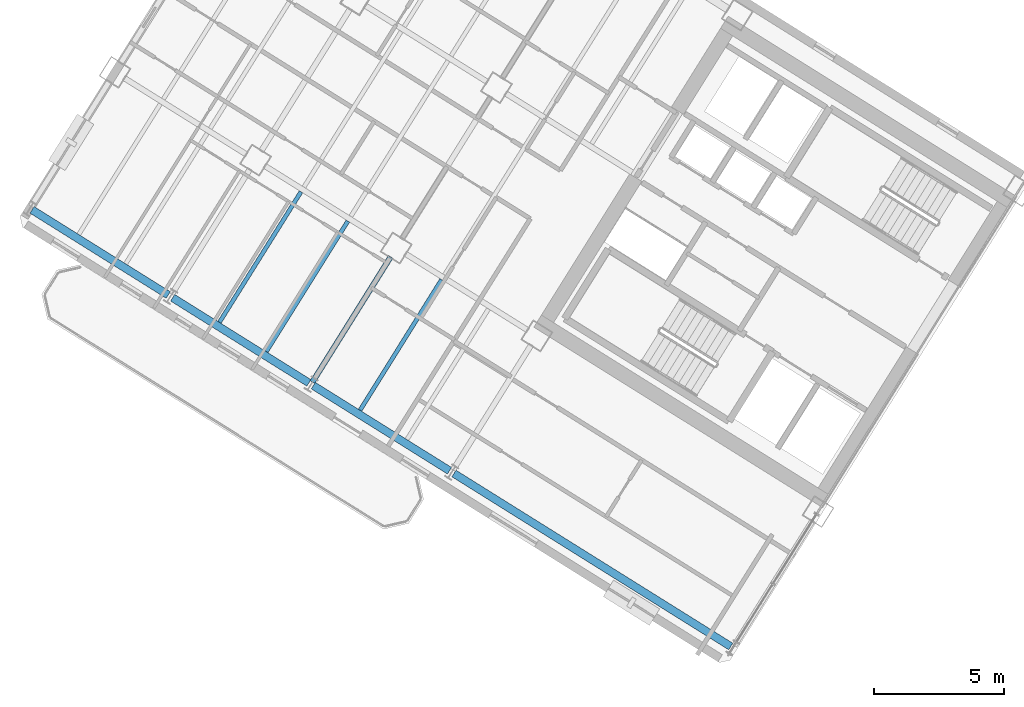
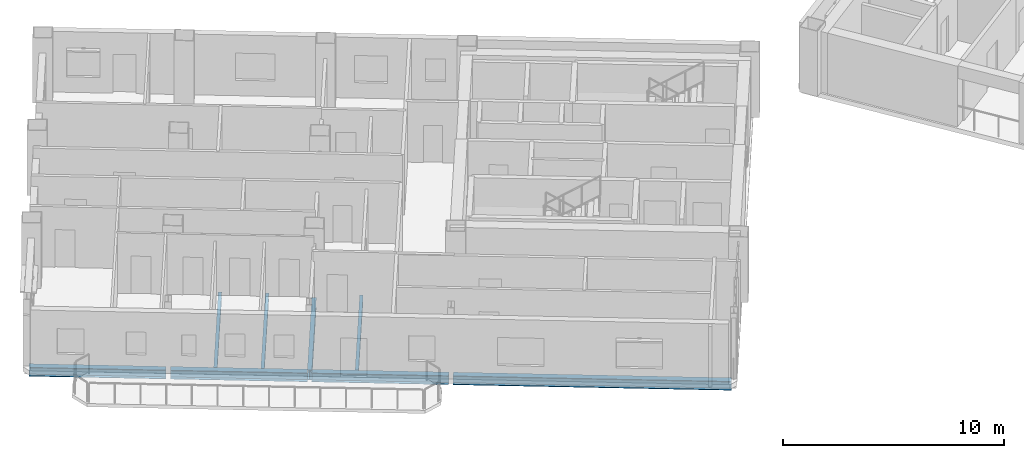
# One storey, part 5 of 19: 8 beams.
"""IFC4 building model written with IfcOpenShell, lengths in metres."""

import ifcopenshell
import ifcopenshell.guid

model = None  # the IFC model being written
_history = None  # IfcOwnerHistory: only IFC2X3 demands one
_inside = {}  # id of a spatial element -> (the spatial element, [elements in it])
_under = {}  # id of a project, library or spatial element -> (it, [spatial elements below it])
_declared = {}  # id of a project -> (the project, [libraries it declares])
_typed = {}  # id of a type object -> (the type object, [elements of that type])
_made_of = {}  # id of a material, layer set ... -> (it, [elements and type objects made of it])


def new_model(schema):
    """Start an empty IFC model of exactly this schema.

    Asked for "IFC4X3", IfcOpenShell would pick the latest addendum, in which some entities
    have other attributes; the version numbers below select the first issue.
    IFC2X3 requires an IfcOwnerHistory on every rooted entity: one is made here for all.
    """
    global model, _history
    if schema == "IFC4X3":
        model = ifcopenshell.file(schema_version=(4, 3, 0, 0))
    else:
        model = ifcopenshell.file(schema=schema)
    _inside.clear()
    _under.clear()
    _declared.clear()
    _typed.clear()
    _made_of.clear()
    _history = None
    if model.schema == "IFC2X3":
        org = make("IfcOrganization", Name="unknown")
        user = make(
            "IfcPersonAndOrganization",
            ThePerson=make("IfcPerson", FamilyName="unknown"),
            TheOrganization=org,
        )
        app = make(
            "IfcApplication",
            ApplicationDeveloper=org,
            Version="unknown",
            ApplicationFullName="unknown",
            ApplicationIdentifier="unknown",
        )
        _history = make(
            "IfcOwnerHistory",
            OwningUser=user,
            OwningApplication=app,
            ChangeAction="ADDED",
            CreationDate=0,
        )
    return model


def make(cls, **values):
    """One entity of the class cls with the attributes given. An attribute that is None is left unset."""
    return model.create_entity(
        cls, **{name: value for name, value in values.items() if value is not None}
    )


def rooted(cls, **values):
    """An entity with a GlobalId (a new one), such as an element, a storey or a relation."""
    return make(cls, GlobalId=ifcopenshell.guid.new(), OwnerHistory=_history, **values)


def si_unit(unit_type, name, prefix=None):
    """IfcSIUnit, for example si_unit("LENGTHUNIT", "METRE", prefix="MILLI")."""
    return make("IfcSIUnit", UnitType=unit_type, Prefix=prefix, Name=name)


def assignment(units):
    """IfcUnitAssignment: the units of a project."""
    return None if units is None else make("IfcUnitAssignment", Units=units)


def point(xyz):
    """IfcCartesianPoint."""
    return None if xyz is None else make("IfcCartesianPoint", Coordinates=xyz)


def direction(xyz):
    """IfcDirection."""
    return None if xyz is None else make("IfcDirection", DirectionRatios=xyz)


def frame(location, z_axis=None, x_axis=None):
    """IfcAxis2Placement3D, a coordinate frame: its origin and axes. An axis left out is left unset."""
    return make(
        "IfcAxis2Placement3D",
        Location=point(location),
        Axis=direction(z_axis),
        RefDirection=direction(x_axis),
    )


def frame_2d(location, x_axis=None):
    """IfcAxis2Placement2D, a coordinate frame in the plane: its origin and x axis."""
    return make(
        "IfcAxis2Placement2D", Location=point(location), RefDirection=direction(x_axis)
    )


def origin():
    """The frame at (0, 0, 0) with its axes left unset."""
    return frame((0.0, 0.0, 0.0))


def origin_2d():
    """The frame at (0, 0) in the plane with its x axis left unset."""
    return frame_2d((0.0, 0.0))


def place(relative_to, where):
    """IfcLocalPlacement: puts the frame where relative to a parent placement (None: the world)."""
    return make(
        "IfcLocalPlacement", PlacementRelTo=relative_to, RelativePlacement=where
    )


def context(
    kind, dimensions, precision=None, world=None, true_north=None, identifier=None
):
    """IfcGeometricRepresentationContext, for example the 3D "Model" context."""
    return make(
        "IfcGeometricRepresentationContext",
        ContextIdentifier=identifier,
        ContextType=kind,
        CoordinateSpaceDimension=dimensions,
        Precision=precision,
        WorldCoordinateSystem=world,
        TrueNorth=true_north,
    )


def subcontext(parent, identifier, kind, view, scale=None):
    """IfcGeometricRepresentationSubContext, for example "Body" below "Model"."""
    return make(
        "IfcGeometricRepresentationSubContext",
        ContextIdentifier=identifier,
        ContextType=kind,
        ParentContext=parent,
        TargetScale=scale,
        TargetView=view,
    )


def project(units=None, contexts=None):
    """IfcProject with its units and contexts."""
    return rooted(
        "IfcProject",
        Name="project",
        RepresentationContexts=contexts,
        UnitsInContext=assignment(units),
    )


def spatial(cls, under=None, at=None, **own):
    """A site, building, storey or space (cls), placed at a placement, below another one or the project."""
    s = rooted(cls, ObjectPlacement=at, **own)
    if under is not None:
        _under.setdefault(under.id(), (under, []))[1].append(s)
    return s


def profile(cls, at=None, kind="AREA", **sizes):
    """A parametric profile (cls). Its sizes go by their IFC names, for example OverallWidth=200.0."""
    return make(cls, ProfileType=kind, Position=at, **sizes)


def i_section(**sizes):
    """IfcIShapeProfileDef."""
    return profile("IfcIShapeProfileDef", **sizes)


def extrude(swept, where, along, depth):
    """IfcExtrudedAreaSolid: the profile swept, set in the frame where, extruded along a direction by depth."""
    return make(
        "IfcExtrudedAreaSolid",
        SweptArea=swept,
        Position=where,
        ExtrudedDirection=direction(along),
        Depth=depth,
    )


def shape(context_of_items, identifier, shape_type, items):
    """IfcShapeRepresentation: the items that make up one representation, for example the "Body"."""
    return make(
        "IfcShapeRepresentation",
        ContextOfItems=context_of_items,
        RepresentationIdentifier=identifier,
        RepresentationType=shape_type,
        Items=items,
    )


def source(mapping_origin, context_of_items, identifier, shape_type, items):
    """IfcRepresentationMap: a shape defined once, which mapped items show again and again."""
    return make(
        "IfcRepresentationMap",
        MappingOrigin=mapping_origin,
        MappedRepresentation=shape(context_of_items, identifier, shape_type, items),
    )


def transform(
    local_origin,
    x_axis=None,
    y_axis=None,
    z_axis=None,
    scale=None,
    scale2=None,
    scale3=None,
    uniform=True,
):
    """IfcCartesianTransformationOperator3D, or its non-uniform kind. x_axis, y_axis, z_axis: its Axis1, 2, 3."""
    if uniform:
        return make(
            "IfcCartesianTransformationOperator3D",
            Axis1=direction(x_axis),
            Axis2=direction(y_axis),
            LocalOrigin=point(local_origin),
            Scale=scale,
            Axis3=direction(z_axis),
        )
    return make(
        "IfcCartesianTransformationOperator3DnonUniform",
        Axis1=direction(x_axis),
        Axis2=direction(y_axis),
        LocalOrigin=point(local_origin),
        Scale=scale,
        Axis3=direction(z_axis),
        Scale2=scale2,
        Scale3=scale3,
    )


def mapped(mapping_source, mapping_target):
    """IfcMappedItem: shows the shape of a source again, moved by a transform."""
    return make(
        "IfcMappedItem", MappingSource=mapping_source, MappingTarget=mapping_target
    )


def material(Name=None, Category=None):
    """IfcMaterial."""
    return make("IfcMaterial", Name=Name, Category=Category)


def material_profile(
    of_material, cross_section, Name=None, Category=None, Priority=None
):
    """IfcMaterialProfile: a cross section and its material."""
    return make(
        "IfcMaterialProfile",
        Name=Name,
        Material=of_material,
        Profile=cross_section,
        Priority=Priority,
        Category=Category,
    )


def profile_set(profiles, Name=None, composite=None):
    """IfcMaterialProfileSet."""
    return make(
        "IfcMaterialProfileSet",
        Name=Name,
        MaterialProfiles=profiles,
        CompositeProfile=composite,
    )


def made_of(thing, what):
    """Note that an element or type object is made of a material, layer set ...; save() writes the relation."""
    if what is not None:
        _made_of.setdefault(what.id(), (what, []))[1].append(thing)
    return thing


def type_object(cls, material=None, **own):
    """A type object (cls), such as IfcWallType, which elements share."""
    return made_of(rooted(cls, **own), material)


def element(
    cls,
    number,
    at=None,
    inside=None,
    cuts=None,
    type_object=None,
    material=None,
    context=None,
    identifier="Body",
    shape_type=None,
    held_by="IfcProductDefinitionShape",
    body=None,
    shapes=None,
    **own,
):
    """One element of the class cls, such as IfcWall. Its Tag is "e" and its number.

    at: its placement. inside: the storey or other place that contains it. cuts: it is an
    opening in that element (IfcRelVoidsElement). A single representation is given by context,
    identifier, shape_type and body (its items); several are given by shapes. held_by: the class
    of the entity that holds the representations. save() writes the other relations.
    """
    e = rooted(cls, Tag="e%d" % number, ObjectPlacement=at, **own)
    if body is not None:
        shapes = [shape(context, identifier, shape_type, body)]
    if shapes is not None:
        e.Representation = make(held_by, Representations=shapes)
    if inside is not None:
        _inside.setdefault(inside.id(), (inside, []))[1].append(e)
    if cuts is not None:
        rooted(
            "IfcRelVoidsElement", RelatingBuildingElement=cuts, RelatedOpeningElement=e
        )
    if type_object is not None:
        _typed.setdefault(type_object.id(), (type_object, []))[1].append(e)
    return made_of(e, material)


def aggregate(whole, parts):
    """IfcRelAggregates: a whole, such as a stair, and the parts it consists of."""
    return rooted("IfcRelAggregates", RelatingObject=whole, RelatedObjects=parts)


def save(model, path):
    """Write the relations noted so far, then the file.

    IfcRelAggregates (storeys below a building ...), IfcRelContainedInSpatialStructure (elements
    in a storey), IfcRelDefinesByType, IfcRelAssociatesMaterial and IfcRelDeclares: one each for
    every whole, place, type object, material and project.
    """
    for whole, parts in _under.values():
        aggregate(whole, parts)
    for where, things in _inside.values():
        rooted(
            "IfcRelContainedInSpatialStructure",
            RelatedElements=things,
            RelatingStructure=where,
        )
    for kind, things in _typed.values():
        rooted("IfcRelDefinesByType", RelatedObjects=things, RelatingType=kind)
    for what, things in _made_of.values():
        rooted("IfcRelAssociatesMaterial", RelatedObjects=things, RelatingMaterial=what)
    for by, libraries in _declared.values():
        rooted("IfcRelDeclares", RelatingContext=by, RelatedDefinitions=libraries)
    model.write(path)


model = new_model("IFC4")

# Units and contexts
model_context = context("Model", 3, precision=1e-05, world=origin(), true_north=direction((0.0, 1.0)))
body_context = subcontext(model_context, "Body", "Model", "MODEL_VIEW")
ifc_project = project(units=[si_unit("LENGTHUNIT", "METRE"), si_unit("AREAUNIT", "SQUARE_METRE"), si_unit("VOLUMEUNIT", "CUBIC_METRE"), si_unit("PLANEANGLEUNIT", "RADIAN"), si_unit("MASSUNIT", "GRAM", prefix="KILO")], contexts=[model_context])

# Site, building, storey
site_placement = place(None, origin())
site = spatial("IfcSite", under=ifc_project, at=site_placement, CompositionType="ELEMENT")
building_placement = place(site_placement, origin())
building = spatial("IfcBuilding", under=site, at=building_placement, Name="Tlacorven Tower", CompositionType="ELEMENT")
storey_placement = place(building_placement, frame((0.0, 0.0, 147.89990234375)))
storey = spatial("IfcBuildingStorey", under=building, at=storey_placement, Name="L37", CompositionType="ELEMENT", Elevation=147.89990234375)

# Beams
ifc_material = material(Name="Steel S355J2", Category="steel")
ifc_material_profile_1 = material_profile(ifc_material, i_section(OverallWidth=0.300048828125, OverallDepth=0.489990234375, WebThickness=0.011962890625, FlangeThickness=0.02294921875, at=origin_2d()), Name="HEA 500")
ifc_profile_set_1 = profile_set([ifc_material_profile_1], Name="Steel S355J2")
beam_type_1 = type_object("IfcBeamType", Name="BM-SPN-500", PredefinedType="SPANDREL", material=ifc_profile_set_1)
shared_shape_1 = source(origin(), body_context, "Body", "SweptSolid", [
    extrude(i_section(OverallWidth=0.300048828125, OverallDepth=0.489990234375, WebThickness=0.011962890625, FlangeThickness=0.02294921875, at=origin_2d()), origin(), (0.0, 0.0, 1.0), 12.599853515625),
])
beam_1_placement = place(storey_placement, frame((29.67578125, 6.882080078125, -0.494873046875), z_axis=(-0.848045108756, 0.529924045043, 0.0), x_axis=(-0.529924045043, -0.848045108756, 0.0)))
element("IfcBeam", 1, at=beam_1_placement, inside=storey, type_object=beam_type_1, Name="L37 beam BM-L37-WL4-1", PredefinedType="SPANDREL", context=body_context, shape_type="MappedRepresentation", body=[
    mapped(shared_shape_1, transform((0.0, 0.0, 0.0), scale=1.0)),
])
shared_shape_2 = source(origin(), body_context, "Body", "SweptSolid", [
    extrude(i_section(OverallWidth=0.300048828125, OverallDepth=0.489990234375, WebThickness=0.011962890625, FlangeThickness=0.02294921875, at=origin_2d()), origin(), (0.0, 0.0, 1.0), 6.199951171875),
])
for number, where, z_axis, x_axis, name in (
    (2, (18.82080078125, 13.6650390625, -0.494873046875), (-0.848051394107, 0.529913986372, 0.0), (-0.529913986372, -0.848051394107, 0.0), "L37 beam BM-L37-WL4-3"),
    (3, (13.393310546875, 17.056396484375, -0.494873046875), (-0.848033697614, 0.529942306022, 0.0), (-0.529942306022, -0.848033697614, 0.0), "L37 beam BM-L37-WL4-4"),
    (4, (7.9658203125, 20.447998046875, -0.494873046875), (-0.848051394107, 0.529913986372, 0.0), (-0.529913986372, -0.848051394107, 0.0), "L37 beam BM-L37-WL4-5"),
):
    element("IfcBeam", number, at=place(storey_placement, frame(where, z_axis=z_axis, x_axis=x_axis)), inside=storey, type_object=beam_type_1, Name=name, PredefinedType="SPANDREL", context=body_context, shape_type="MappedRepresentation", body=[
        mapped(shared_shape_2, transform((0.0, 0.0, 0.0), scale=1.0)),
    ])
ifc_material_profile_2 = material_profile(ifc_material, i_section(OverallWidth=0.2099609375, OverallDepth=0.550048828125, WebThickness=0.010986328125, FlangeThickness=0.01708984375, at=origin_2d()), Name="IPE 550")
ifc_profile_set_2 = profile_set([ifc_material_profile_2], Name="Steel S355J2")
beam_type_2 = type_object("IfcBeamType", Name="BM-TWR-550", PredefinedType="BEAM", material=ifc_profile_set_2)
shared_shape_3 = source(origin(), body_context, "Body", "SweptSolid", [
    extrude(i_section(OverallWidth=0.2099609375, OverallDepth=0.550048828125, WebThickness=0.010986328125, FlangeThickness=0.01708984375, at=origin_2d()), origin(), (0.0, 0.0, 1.0), 5.7001953125),
])
beam_2_placement = place(storey_placement, frame((16.5517578125, 21.922119140625, -0.52490234375), z_axis=(-0.529937340199, -0.848036800771, 0.0), x_axis=(0.848036800771, -0.529937340199, 0.0)))
element("IfcBeam", 5, at=beam_2_placement, inside=storey, type_object=beam_type_2, Name="L37 beam BM-L37-WT4-3", PredefinedType="BEAM", context=body_context, shape_type="MappedRepresentation", body=[
    mapped(shared_shape_3, transform((0.0, 0.0, 0.0), scale=1.0)),
])
ifc_material_profile_3 = material_profile(ifc_material, i_section(OverallWidth=0.159912109375, OverallDepth=0.330078125, WebThickness=0.007568359375, FlangeThickness=0.011474609375, at=origin_2d()), Name="IPE 330")
ifc_profile_set_3 = profile_set([ifc_material_profile_3], Name="Steel S355J2")
beam_type_3 = type_object("IfcBeamType", Name="BM-JST-330", PredefinedType="JOIST", material=ifc_profile_set_3)
shared_shape_4 = source(origin(), body_context, "Body", "SweptSolid", [
    extrude(i_section(OverallWidth=0.159912109375, OverallDepth=0.330078125, WebThickness=0.007568359375, FlangeThickness=0.011474609375, at=origin_2d()), origin(), (0.0, 0.0, 1.0), 5.93505859375),
])
for number, where, z_axis, x_axis, name in (
    (6, (18.514404296875, 21.03759765625, -0.414794921875), (-0.529910194899, -0.848053763238, 0.0), (0.848053763238, -0.529910194899, 0.0), "L37 beam BM-L37-WJ3-3-2"),
    (7, (14.896240234375, 23.298583984375, -0.414794921875), (-0.529910194899, -0.848053763238, 0.0), (0.848053763238, -0.529910194899, 0.0), "L37 beam BM-L37-WJ4-3-1"),
):
    element("IfcBeam", number, at=place(storey_placement, frame(where, z_axis=z_axis, x_axis=x_axis)), inside=storey, type_object=beam_type_3, Name=name, PredefinedType="JOIST", context=body_context, shape_type="MappedRepresentation", body=[
        mapped(shared_shape_4, transform((0.0, 0.0, 0.0), scale=1.0)),
    ])
shared_shape_5 = source(origin(), body_context, "Body", "SweptSolid", [
    extrude(i_section(OverallWidth=0.159912109375, OverallDepth=0.330078125, WebThickness=0.007568359375, FlangeThickness=0.011474609375, at=origin_2d()), origin(), (0.0, 0.0, 1.0), 5.934814453125),
])
beam_3_placement = place(storey_placement, frame((13.0869140625, 24.428955078125, -0.414794921875), z_axis=(-0.52992868149, -0.848042211529, 0.0), x_axis=(0.848042211529, -0.52992868149, 0.0)))
element("IfcBeam", 8, at=beam_3_placement, inside=storey, type_object=beam_type_3, Name="L37 beam BM-L37-WJ4-3-2", PredefinedType="JOIST", context=body_context, shape_type="MappedRepresentation", body=[
    mapped(shared_shape_5, transform((0.0, 0.0, 0.0), scale=1.0)),
])

save(model, "model.ifc")
